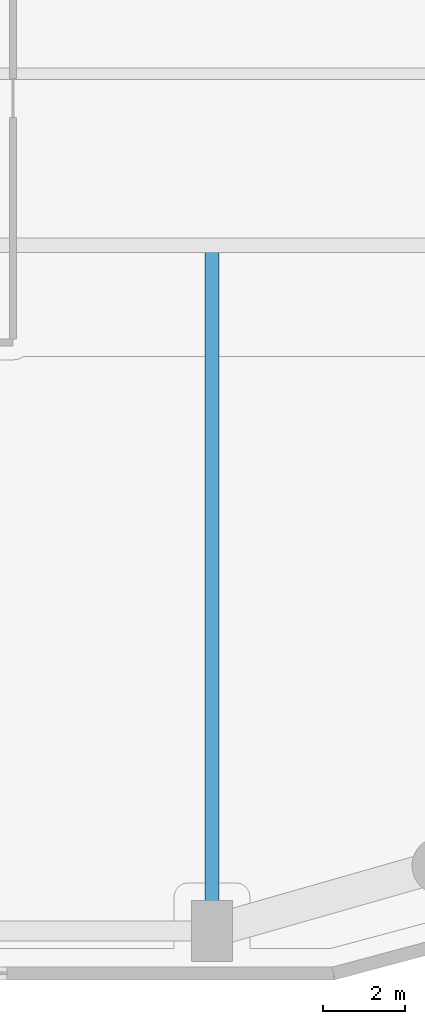
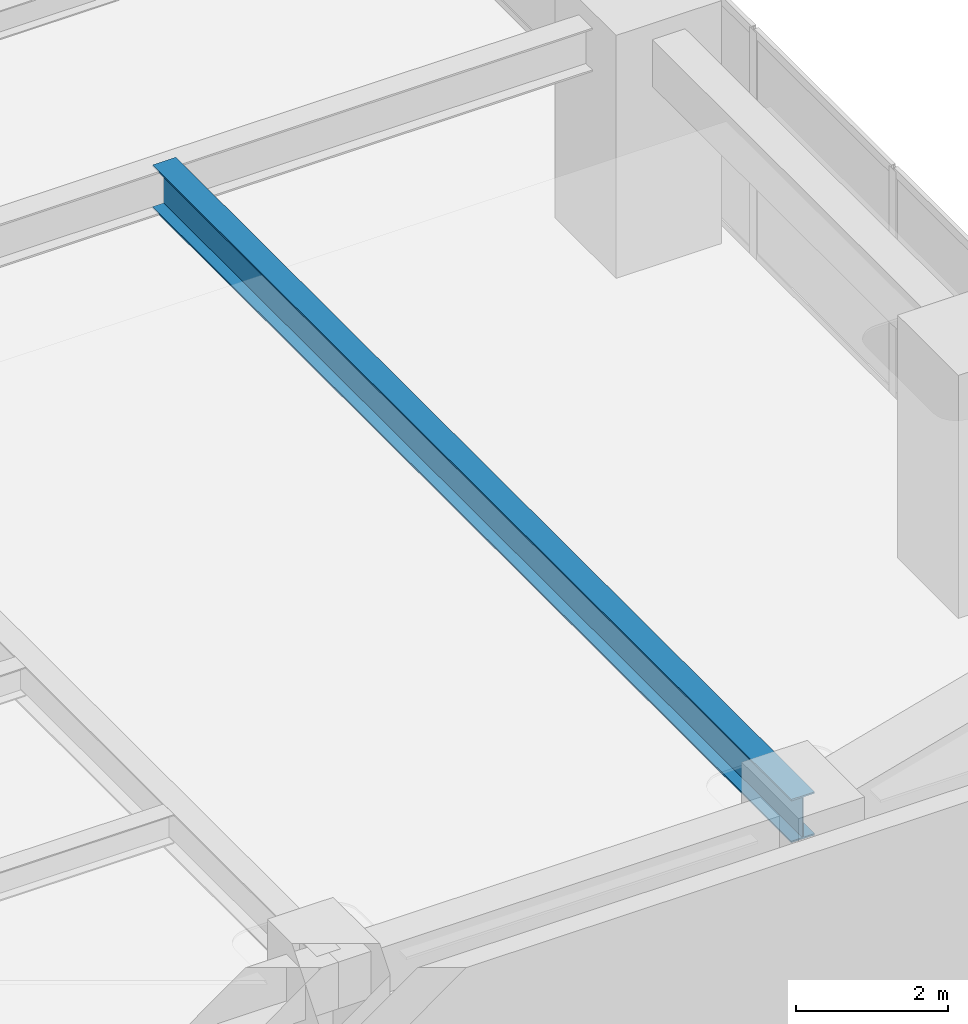
# One storey, part 5 of 28: 1 beam.
"""IFC4 building model written with IfcOpenShell, lengths in metres."""

from ifc_helpers import new_model, si_unit, direction, frame, origin, origin_2d, place, context, subcontext, project, spatial, i_section, extrude, material, material_profile, profile_set, type_object, element, save


model = new_model("IFC4")

# Units and contexts
model_context = context("Model", 3, precision=1e-05, world=origin(), true_north=direction((0.0, 1.0)))
body_context = subcontext(model_context, "Body", "Model", "MODEL_VIEW")
ifc_project = project(units=[si_unit("LENGTHUNIT", "METRE"), si_unit("AREAUNIT", "SQUARE_METRE"), si_unit("VOLUMEUNIT", "CUBIC_METRE"), si_unit("PLANEANGLEUNIT", "RADIAN"), si_unit("MASSUNIT", "GRAM", prefix="KILO")], contexts=[model_context])

# Site, building, storey
site_placement = place(None, origin())
site = spatial("IfcSite", under=ifc_project, at=site_placement, CompositionType="ELEMENT")
building_placement = place(site_placement, origin())
building = spatial("IfcBuilding", under=site, at=building_placement, Name="Kiyonajd Concourse Tower", CompositionType="ELEMENT")
storey_placement = place(building_placement, frame((0.0, 0.0, 33.300048828125)))
storey = spatial("IfcBuildingStorey", under=building, at=storey_placement, Name="L09", CompositionType="ELEMENT", Elevation=33.300048828125)

# Beam
ifc_material = material(Name="Steel ASTM A992 Grade 50", Category="steel")
ifc_material_profile = material_profile(ifc_material, i_section(OverallWidth=0.35498046875, OverallDepth=0.695068359375, WebThickness=0.015380859375, FlangeThickness=0.02490234375, at=origin_2d()), Name="W690X217")
ifc_profile_set = profile_set([ifc_material_profile], Name="Steel ASTM A992 Grade 50")
beam_type = type_object("IfcBeamType", Name="BM-TWR-690", PredefinedType="BEAM", material=ifc_profile_set)
beam_placement = place(storey_placement, frame((70.800048828125, 10.800048828125, 3.29248046875), z_axis=(0.0, 1.0, 0.0), x_axis=(-1.0, 0.0, 0.0)))
element("IfcBeam", 1, at=beam_placement, inside=storey, type_object=beam_type, Name="L09 South Lease Girder", PredefinedType="BEAM", context=body_context, shape_type="SweptSolid", body=[
    extrude(i_section(OverallWidth=0.35498046875, OverallDepth=0.695068359375, WebThickness=0.015380859375, FlangeThickness=0.02490234375, at=origin_2d()), origin(), (0.0, 0.0, 1.0), 16.800048828125),
])

save(model, "model.ifc")
